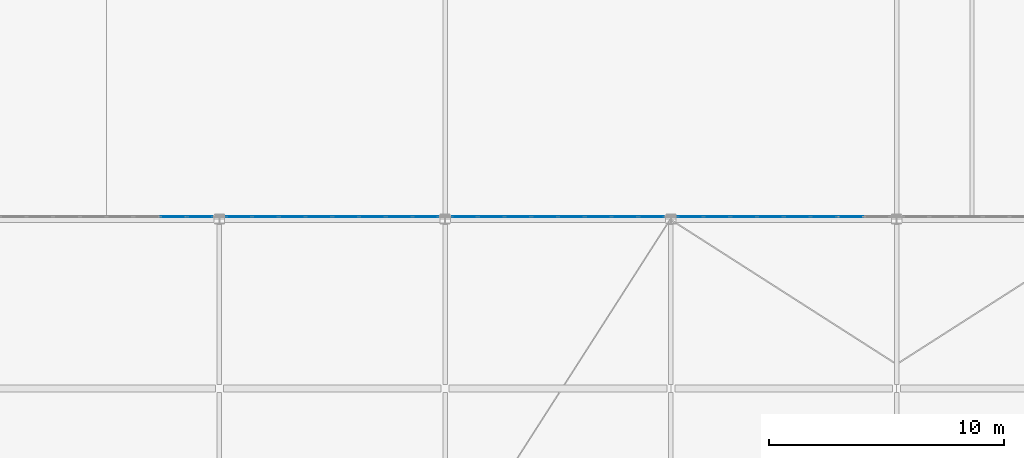
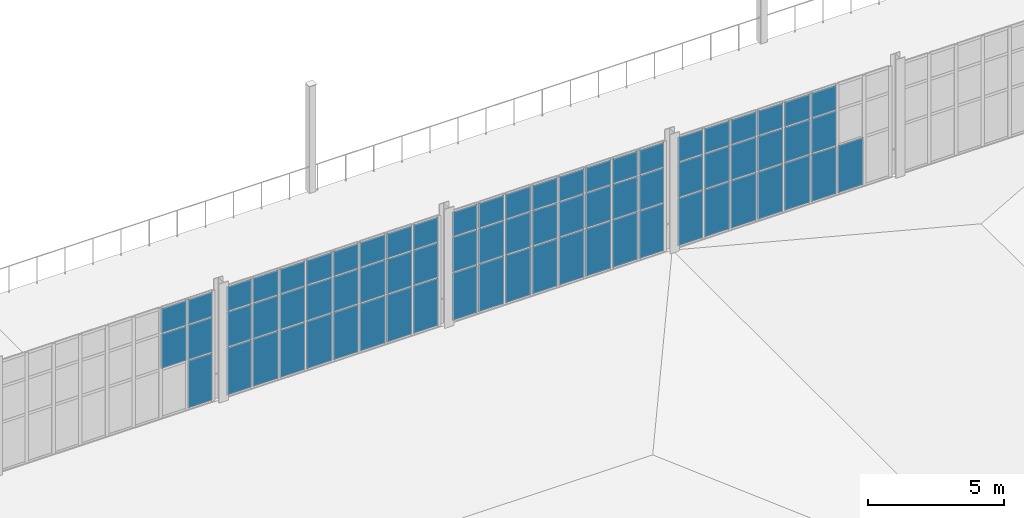
# One storey, part 77 of 112: 72 plates, 4 elements without a shape of their own.
"""IFC4 building model written with IfcOpenShell, lengths in metres."""

from ifc_helpers import new_model, si_unit, direction, frame, origin, origin_2d, place, context, subcontext, project, spatial, rectangle, extrude, material, layer, layer_set, type_object, element, aggregate, save


model = new_model("IFC4")

# Units and contexts
model_context = context("Model", 3, precision=1e-05, world=origin(), true_north=direction((0.0, 1.0)))
body_context = subcontext(model_context, "Body", "Model", "MODEL_VIEW")
ifc_project = project(units=[si_unit("LENGTHUNIT", "METRE"), si_unit("AREAUNIT", "SQUARE_METRE"), si_unit("VOLUMEUNIT", "CUBIC_METRE"), si_unit("PLANEANGLEUNIT", "RADIAN"), si_unit("MASSUNIT", "GRAM", prefix="KILO")], contexts=[model_context])

# Site, building, storey
site_placement = place(None, origin())
site = spatial("IfcSite", under=ifc_project, at=site_placement, CompositionType="ELEMENT")
building_placement = place(site_placement, origin())
building = spatial("IfcBuilding", under=site, at=building_placement, Name="Yeouljin Market Hall", CompositionType="ELEMENT")
storey_placement = place(building_placement, frame((0.0, 0.0, 6.0)))
storey = spatial("IfcBuildingStorey", under=building, at=storey_placement, Name="L01", CompositionType="ELEMENT", Elevation=6.0)

# Curtain wall, plates
ifc_material_1 = material(Name="Thermally Broken Aluminium", Category="aluminium")
ifc_layer_1 = layer(ifc_material_1, 0.159912109375)
ifc_layer_set_1 = layer_set([ifc_layer_1], Name="Thermally Broken Aluminium")
curtain_wall_type = type_object("IfcCurtainWallType", Name="CW_HallClerestory_System", PredefinedType="USERDEFINED", material=ifc_layer_set_1)
curtain_wall_1_placement = place(storey_placement, origin())
curtain_wall_1 = element("IfcCurtainWall", 1, at=curtain_wall_1_placement, inside=storey, type_object=curtain_wall_type, Name="Curtain wall CW-V1S-L01-06", ObjectType="CURTAIN WALL", PredefinedType="USERDEFINED")
ifc_material_2 = material(Name="Low-E Insulated Glass", Category="glass")
ifc_layer_2 = layer(ifc_material_2, 0.028076171875)
ifc_layer_set_2 = layer_set([ifc_layer_2], Name="Low-E Insulated Glass")
plate_type = type_object("IfcPlateType", Name="CWPanel_LowE_28", PredefinedType="CURTAIN_PANEL", material=ifc_layer_set_2)
plate_1_placement = place(storey_placement, frame((92.169189453125, 36.10009765625, 0.048095703125), z_axis=(0.0, 0.0, 1.0), x_axis=(-1.0, 0.0, 0.0)))
plate_1 = element("IfcPlate", 2, at=plate_1_placement, type_object=plate_type, Name="CW-02 panel 1.1", PredefinedType="CURTAIN_PANEL", context=body_context, shape_type="SweptSolid", body=[
    extrude(rectangle(XDim=1.0654296875, YDim=0.028076171875, at=origin_2d()), origin(), (0.0, 0.0, 1.0), 2.1279296875),
])
plate_2_placement = place(storey_placement, frame((92.169189453125, 36.10009765625, 2.22412109375), z_axis=(0.0, 0.0, 1.0), x_axis=(-1.0, 0.0, 0.0)))
plate_2 = element("IfcPlate", 3, at=plate_2_placement, type_object=plate_type, Name="CW-02 panel 1.2", PredefinedType="CURTAIN_PANEL", context=body_context, shape_type="SweptSolid", body=[
    extrude(rectangle(XDim=1.0654296875, YDim=0.028076171875, at=origin_2d()), origin(), (0.0, 0.0, 1.0), 1.552001953125),
])
plate_3_placement = place(storey_placement, frame((92.169189453125, 36.10009765625, 3.82421875), z_axis=(0.0, 0.0, 1.0), x_axis=(-1.0, 0.0, 0.0)))
plate_3 = element("IfcPlate", 4, at=plate_3_placement, type_object=plate_type, Name="CW-02 panel 1.3", PredefinedType="CURTAIN_PANEL", context=body_context, shape_type="SweptSolid", body=[
    extrude(rectangle(XDim=1.0654296875, YDim=0.028076171875, at=origin_2d()), origin(), (0.0, 0.0, 1.0), 1.097900390625),
])
plate_4_placement = place(storey_placement, frame((91.043701171875, 36.10009765625, 2.22412109375), z_axis=(0.0, 0.0, 1.0), x_axis=(-1.0, 0.0, 0.0)))
plate_4 = element("IfcPlate", 5, at=plate_4_placement, type_object=plate_type, Name="CW-02 panel 2.2", PredefinedType="CURTAIN_PANEL", context=body_context, shape_type="SweptSolid", body=[
    extrude(rectangle(XDim=1.089599609375, YDim=0.028076171875, at=origin_2d()), origin(), (0.0, 0.0, 1.0), 1.552001953125),
])
plate_5_placement = place(storey_placement, frame((91.043701171875, 36.10009765625, 3.82421875), z_axis=(0.0, 0.0, 1.0), x_axis=(-1.0, 0.0, 0.0)))
plate_5 = element("IfcPlate", 6, at=plate_5_placement, type_object=plate_type, Name="CW-02 panel 2.3", PredefinedType="CURTAIN_PANEL", context=body_context, shape_type="SweptSolid", body=[
    extrude(rectangle(XDim=1.089599609375, YDim=0.028076171875, at=origin_2d()), origin(), (0.0, 0.0, 1.0), 1.097900390625),
])
aggregate(curtain_wall_1, [plate_1, plate_2, plate_3, plate_4, plate_5])

curtain_wall_2_placement = place(storey_placement, origin())
curtain_wall_2 = element("IfcCurtainWall", 7, at=curtain_wall_2_placement, inside=storey, type_object=curtain_wall_type, Name="Curtain wall CW-V1S-L01-07", ObjectType="CURTAIN WALL", PredefinedType="USERDEFINED")
plate_6_placement = place(storey_placement, frame((101.769287109375, 36.10009765625, 0.048095703125), z_axis=(0.0, 0.0, 1.0), x_axis=(-1.0, 0.0, 0.0)))
plate_6 = element("IfcPlate", 8, at=plate_6_placement, type_object=plate_type, Name="CW-02 panel 1.1", PredefinedType="CURTAIN_PANEL", context=body_context, shape_type="SweptSolid", body=[
    extrude(rectangle(XDim=1.0654296875, YDim=0.028076171875, at=origin_2d()), origin(), (0.0, 0.0, 1.0), 2.1279296875),
])
plate_7_placement = place(storey_placement, frame((101.769287109375, 36.10009765625, 2.22412109375), z_axis=(0.0, 0.0, 1.0), x_axis=(-1.0, 0.0, 0.0)))
plate_7 = element("IfcPlate", 9, at=plate_7_placement, type_object=plate_type, Name="CW-02 panel 1.2", PredefinedType="CURTAIN_PANEL", context=body_context, shape_type="SweptSolid", body=[
    extrude(rectangle(XDim=1.0654296875, YDim=0.028076171875, at=origin_2d()), origin(), (0.0, 0.0, 1.0), 1.552001953125),
])
plate_8_placement = place(storey_placement, frame((101.769287109375, 36.10009765625, 3.82421875), z_axis=(0.0, 0.0, 1.0), x_axis=(-1.0, 0.0, 0.0)))
plate_8 = element("IfcPlate", 10, at=plate_8_placement, type_object=plate_type, Name="CW-02 panel 1.3", PredefinedType="CURTAIN_PANEL", context=body_context, shape_type="SweptSolid", body=[
    extrude(rectangle(XDim=1.0654296875, YDim=0.028076171875, at=origin_2d()), origin(), (0.0, 0.0, 1.0), 1.097900390625),
])
plate_9_placement = place(storey_placement, frame((100.643798828125, 36.10009765625, 0.048095703125), z_axis=(0.0, 0.0, 1.0), x_axis=(-1.0, 0.0, 0.0)))
plate_9 = element("IfcPlate", 11, at=plate_9_placement, type_object=plate_type, Name="CW-02 panel 2.1", PredefinedType="CURTAIN_PANEL", context=body_context, shape_type="SweptSolid", body=[
    extrude(rectangle(XDim=1.089599609375, YDim=0.028076171875, at=origin_2d()), origin(), (0.0, 0.0, 1.0), 2.1279296875),
])
plate_10_placement = place(storey_placement, frame((100.643798828125, 36.10009765625, 2.22412109375), z_axis=(0.0, 0.0, 1.0), x_axis=(-1.0, 0.0, 0.0)))
plate_10 = element("IfcPlate", 12, at=plate_10_placement, type_object=plate_type, Name="CW-02 panel 2.2", PredefinedType="CURTAIN_PANEL", context=body_context, shape_type="SweptSolid", body=[
    extrude(rectangle(XDim=1.089599609375, YDim=0.028076171875, at=origin_2d()), origin(), (0.0, 0.0, 1.0), 1.552001953125),
])
plate_11_placement = place(storey_placement, frame((100.643798828125, 36.10009765625, 3.82421875), z_axis=(0.0, 0.0, 1.0), x_axis=(-1.0, 0.0, 0.0)))
plate_11 = element("IfcPlate", 13, at=plate_11_placement, type_object=plate_type, Name="CW-02 panel 2.3", PredefinedType="CURTAIN_PANEL", context=body_context, shape_type="SweptSolid", body=[
    extrude(rectangle(XDim=1.089599609375, YDim=0.028076171875, at=origin_2d()), origin(), (0.0, 0.0, 1.0), 1.097900390625),
])
plate_12_placement = place(storey_placement, frame((99.50634765625, 36.10009765625, 0.048095703125), z_axis=(0.0, 0.0, 1.0), x_axis=(-1.0, 0.0, 0.0)))
plate_12 = element("IfcPlate", 14, at=plate_12_placement, type_object=plate_type, Name="CW-02 panel 3.1", PredefinedType="CURTAIN_PANEL", context=body_context, shape_type="SweptSolid", body=[
    extrude(rectangle(XDim=1.089599609375, YDim=0.028076171875, at=origin_2d()), origin(), (0.0, 0.0, 1.0), 2.1279296875),
])
plate_13_placement = place(storey_placement, frame((99.50634765625, 36.10009765625, 2.22412109375), z_axis=(0.0, 0.0, 1.0), x_axis=(-1.0, 0.0, 0.0)))
plate_13 = element("IfcPlate", 15, at=plate_13_placement, type_object=plate_type, Name="CW-02 panel 3.2", PredefinedType="CURTAIN_PANEL", context=body_context, shape_type="SweptSolid", body=[
    extrude(rectangle(XDim=1.089599609375, YDim=0.028076171875, at=origin_2d()), origin(), (0.0, 0.0, 1.0), 1.552001953125),
])
plate_14_placement = place(storey_placement, frame((99.50634765625, 36.10009765625, 3.82421875), z_axis=(0.0, 0.0, 1.0), x_axis=(-1.0, 0.0, 0.0)))
plate_14 = element("IfcPlate", 16, at=plate_14_placement, type_object=plate_type, Name="CW-02 panel 3.3", PredefinedType="CURTAIN_PANEL", context=body_context, shape_type="SweptSolid", body=[
    extrude(rectangle(XDim=1.089599609375, YDim=0.028076171875, at=origin_2d()), origin(), (0.0, 0.0, 1.0), 1.097900390625),
])
plate_15_placement = place(storey_placement, frame((98.36865234375, 36.10009765625, 0.048095703125), z_axis=(0.0, 0.0, 1.0), x_axis=(-1.0, 0.0, 0.0)))
plate_15 = element("IfcPlate", 17, at=plate_15_placement, type_object=plate_type, Name="CW-02 panel 4.1", PredefinedType="CURTAIN_PANEL", context=body_context, shape_type="SweptSolid", body=[
    extrude(rectangle(XDim=1.089599609375, YDim=0.028076171875, at=origin_2d()), origin(), (0.0, 0.0, 1.0), 2.1279296875),
])
plate_16_placement = place(storey_placement, frame((98.36865234375, 36.10009765625, 2.22412109375), z_axis=(0.0, 0.0, 1.0), x_axis=(-1.0, 0.0, 0.0)))
plate_16 = element("IfcPlate", 18, at=plate_16_placement, type_object=plate_type, Name="CW-02 panel 4.2", PredefinedType="CURTAIN_PANEL", context=body_context, shape_type="SweptSolid", body=[
    extrude(rectangle(XDim=1.089599609375, YDim=0.028076171875, at=origin_2d()), origin(), (0.0, 0.0, 1.0), 1.552001953125),
])
plate_17_placement = place(storey_placement, frame((98.36865234375, 36.10009765625, 3.82421875), z_axis=(0.0, 0.0, 1.0), x_axis=(-1.0, 0.0, 0.0)))
plate_17 = element("IfcPlate", 19, at=plate_17_placement, type_object=plate_type, Name="CW-02 panel 4.3", PredefinedType="CURTAIN_PANEL", context=body_context, shape_type="SweptSolid", body=[
    extrude(rectangle(XDim=1.089599609375, YDim=0.028076171875, at=origin_2d()), origin(), (0.0, 0.0, 1.0), 1.097900390625),
])
plate_18_placement = place(storey_placement, frame((97.231201171875, 36.10009765625, 0.048095703125), z_axis=(0.0, 0.0, 1.0), x_axis=(-1.0, 0.0, 0.0)))
plate_18 = element("IfcPlate", 20, at=plate_18_placement, type_object=plate_type, Name="CW-02 panel 5.1", PredefinedType="CURTAIN_PANEL", context=body_context, shape_type="SweptSolid", body=[
    extrude(rectangle(XDim=1.089599609375, YDim=0.028076171875, at=origin_2d()), origin(), (0.0, 0.0, 1.0), 2.1279296875),
])
plate_19_placement = place(storey_placement, frame((97.231201171875, 36.10009765625, 2.22412109375), z_axis=(0.0, 0.0, 1.0), x_axis=(-1.0, 0.0, 0.0)))
plate_19 = element("IfcPlate", 21, at=plate_19_placement, type_object=plate_type, Name="CW-02 panel 5.2", PredefinedType="CURTAIN_PANEL", context=body_context, shape_type="SweptSolid", body=[
    extrude(rectangle(XDim=1.089599609375, YDim=0.028076171875, at=origin_2d()), origin(), (0.0, 0.0, 1.0), 1.552001953125),
])
plate_20_placement = place(storey_placement, frame((97.231201171875, 36.10009765625, 3.82421875), z_axis=(0.0, 0.0, 1.0), x_axis=(-1.0, 0.0, 0.0)))
plate_20 = element("IfcPlate", 22, at=plate_20_placement, type_object=plate_type, Name="CW-02 panel 5.3", PredefinedType="CURTAIN_PANEL", context=body_context, shape_type="SweptSolid", body=[
    extrude(rectangle(XDim=1.089599609375, YDim=0.028076171875, at=origin_2d()), origin(), (0.0, 0.0, 1.0), 1.097900390625),
])
plate_21_placement = place(storey_placement, frame((96.09375, 36.10009765625, 0.048095703125), z_axis=(0.0, 0.0, 1.0), x_axis=(-1.0, 0.0, 0.0)))
plate_21 = element("IfcPlate", 23, at=plate_21_placement, type_object=plate_type, Name="CW-02 panel 6.1", PredefinedType="CURTAIN_PANEL", context=body_context, shape_type="SweptSolid", body=[
    extrude(rectangle(XDim=1.089599609375, YDim=0.028076171875, at=origin_2d()), origin(), (0.0, 0.0, 1.0), 2.1279296875),
])
plate_22_placement = place(storey_placement, frame((96.09375, 36.10009765625, 2.22412109375), z_axis=(0.0, 0.0, 1.0), x_axis=(-1.0, 0.0, 0.0)))
plate_22 = element("IfcPlate", 24, at=plate_22_placement, type_object=plate_type, Name="CW-02 panel 6.2", PredefinedType="CURTAIN_PANEL", context=body_context, shape_type="SweptSolid", body=[
    extrude(rectangle(XDim=1.089599609375, YDim=0.028076171875, at=origin_2d()), origin(), (0.0, 0.0, 1.0), 1.552001953125),
])
plate_23_placement = place(storey_placement, frame((96.09375, 36.10009765625, 3.82421875), z_axis=(0.0, 0.0, 1.0), x_axis=(-1.0, 0.0, 0.0)))
plate_23 = element("IfcPlate", 25, at=plate_23_placement, type_object=plate_type, Name="CW-02 panel 6.3", PredefinedType="CURTAIN_PANEL", context=body_context, shape_type="SweptSolid", body=[
    extrude(rectangle(XDim=1.089599609375, YDim=0.028076171875, at=origin_2d()), origin(), (0.0, 0.0, 1.0), 1.097900390625),
])
plate_24_placement = place(storey_placement, frame((94.956298828125, 36.10009765625, 0.048095703125), z_axis=(0.0, 0.0, 1.0), x_axis=(-1.0, 0.0, 0.0)))
plate_24 = element("IfcPlate", 26, at=plate_24_placement, type_object=plate_type, Name="CW-02 panel 7.1", PredefinedType="CURTAIN_PANEL", context=body_context, shape_type="SweptSolid", body=[
    extrude(rectangle(XDim=1.089599609375, YDim=0.028076171875, at=origin_2d()), origin(), (0.0, 0.0, 1.0), 2.1279296875),
])
plate_25_placement = place(storey_placement, frame((94.956298828125, 36.10009765625, 2.22412109375), z_axis=(0.0, 0.0, 1.0), x_axis=(-1.0, 0.0, 0.0)))
plate_25 = element("IfcPlate", 27, at=plate_25_placement, type_object=plate_type, Name="CW-02 panel 7.2", PredefinedType="CURTAIN_PANEL", context=body_context, shape_type="SweptSolid", body=[
    extrude(rectangle(XDim=1.089599609375, YDim=0.028076171875, at=origin_2d()), origin(), (0.0, 0.0, 1.0), 1.552001953125),
])
plate_26_placement = place(storey_placement, frame((94.956298828125, 36.10009765625, 3.82421875), z_axis=(0.0, 0.0, 1.0), x_axis=(-1.0, 0.0, 0.0)))
plate_26 = element("IfcPlate", 28, at=plate_26_placement, type_object=plate_type, Name="CW-02 panel 7.3", PredefinedType="CURTAIN_PANEL", context=body_context, shape_type="SweptSolid", body=[
    extrude(rectangle(XDim=1.089599609375, YDim=0.028076171875, at=origin_2d()), origin(), (0.0, 0.0, 1.0), 1.097900390625),
])
plate_27_placement = place(storey_placement, frame((93.830810546875, 36.10009765625, 0.048095703125), z_axis=(0.0, 0.0, 1.0), x_axis=(-1.0, 0.0, 0.0)))
plate_27 = element("IfcPlate", 29, at=plate_27_placement, type_object=plate_type, Name="CW-02 panel 8.1", PredefinedType="CURTAIN_PANEL", context=body_context, shape_type="SweptSolid", body=[
    extrude(rectangle(XDim=1.0654296875, YDim=0.028076171875, at=origin_2d()), origin(), (0.0, 0.0, 1.0), 2.1279296875),
])
plate_28_placement = place(storey_placement, frame((93.830810546875, 36.10009765625, 2.22412109375), z_axis=(0.0, 0.0, 1.0), x_axis=(-1.0, 0.0, 0.0)))
plate_28 = element("IfcPlate", 30, at=plate_28_placement, type_object=plate_type, Name="CW-02 panel 8.2", PredefinedType="CURTAIN_PANEL", context=body_context, shape_type="SweptSolid", body=[
    extrude(rectangle(XDim=1.0654296875, YDim=0.028076171875, at=origin_2d()), origin(), (0.0, 0.0, 1.0), 1.552001953125),
])
plate_29_placement = place(storey_placement, frame((93.830810546875, 36.10009765625, 3.82421875), z_axis=(0.0, 0.0, 1.0), x_axis=(-1.0, 0.0, 0.0)))
plate_29 = element("IfcPlate", 31, at=plate_29_placement, type_object=plate_type, Name="CW-02 panel 8.3", PredefinedType="CURTAIN_PANEL", context=body_context, shape_type="SweptSolid", body=[
    extrude(rectangle(XDim=1.0654296875, YDim=0.028076171875, at=origin_2d()), origin(), (0.0, 0.0, 1.0), 1.097900390625),
])
aggregate(curtain_wall_2, [plate_6, plate_7, plate_8, plate_9, plate_10, plate_11, plate_12, plate_13, plate_14, plate_15, plate_16, plate_17, plate_18, plate_19, plate_20, plate_21, plate_22, plate_23, plate_24, plate_25, plate_26, plate_27, plate_28, plate_29])

curtain_wall_3_placement = place(storey_placement, origin())
curtain_wall_3 = element("IfcCurtainWall", 32, at=curtain_wall_3_placement, inside=storey, type_object=curtain_wall_type, Name="Curtain wall CW-V1S-L01-08", ObjectType="CURTAIN WALL", PredefinedType="USERDEFINED")
plate_30_placement = place(storey_placement, frame((111.369140625, 36.10009765625, 0.048095703125), z_axis=(0.0, 0.0, 1.0), x_axis=(-1.0, 0.0, 0.0)))
plate_30 = element("IfcPlate", 33, at=plate_30_placement, type_object=plate_type, Name="CW-02 panel 1.1", PredefinedType="CURTAIN_PANEL", context=body_context, shape_type="SweptSolid", body=[
    extrude(rectangle(XDim=1.0654296875, YDim=0.028076171875, at=origin_2d()), origin(), (0.0, 0.0, 1.0), 2.1279296875),
])
plate_31_placement = place(storey_placement, frame((111.369140625, 36.10009765625, 2.22412109375), z_axis=(0.0, 0.0, 1.0), x_axis=(-1.0, 0.0, 0.0)))
plate_31 = element("IfcPlate", 34, at=plate_31_placement, type_object=plate_type, Name="CW-02 panel 1.2", PredefinedType="CURTAIN_PANEL", context=body_context, shape_type="SweptSolid", body=[
    extrude(rectangle(XDim=1.0654296875, YDim=0.028076171875, at=origin_2d()), origin(), (0.0, 0.0, 1.0), 1.552001953125),
])
plate_32_placement = place(storey_placement, frame((111.369140625, 36.10009765625, 3.82421875), z_axis=(0.0, 0.0, 1.0), x_axis=(-1.0, 0.0, 0.0)))
plate_32 = element("IfcPlate", 35, at=plate_32_placement, type_object=plate_type, Name="CW-02 panel 1.3", PredefinedType="CURTAIN_PANEL", context=body_context, shape_type="SweptSolid", body=[
    extrude(rectangle(XDim=1.0654296875, YDim=0.028076171875, at=origin_2d()), origin(), (0.0, 0.0, 1.0), 1.097900390625),
])
plate_33_placement = place(storey_placement, frame((110.24365234375, 36.10009765625, 0.048095703125), z_axis=(0.0, 0.0, 1.0), x_axis=(-1.0, 0.0, 0.0)))
plate_33 = element("IfcPlate", 36, at=plate_33_placement, type_object=plate_type, Name="CW-02 panel 2.1", PredefinedType="CURTAIN_PANEL", context=body_context, shape_type="SweptSolid", body=[
    extrude(rectangle(XDim=1.089599609375, YDim=0.028076171875, at=origin_2d()), origin(), (0.0, 0.0, 1.0), 2.1279296875),
])
plate_34_placement = place(storey_placement, frame((110.24365234375, 36.10009765625, 2.22412109375), z_axis=(0.0, 0.0, 1.0), x_axis=(-1.0, 0.0, 0.0)))
plate_34 = element("IfcPlate", 37, at=plate_34_placement, type_object=plate_type, Name="CW-02 panel 2.2", PredefinedType="CURTAIN_PANEL", context=body_context, shape_type="SweptSolid", body=[
    extrude(rectangle(XDim=1.089599609375, YDim=0.028076171875, at=origin_2d()), origin(), (0.0, 0.0, 1.0), 1.552001953125),
])
plate_35_placement = place(storey_placement, frame((110.24365234375, 36.10009765625, 3.82421875), z_axis=(0.0, 0.0, 1.0), x_axis=(-1.0, 0.0, 0.0)))
plate_35 = element("IfcPlate", 38, at=plate_35_placement, type_object=plate_type, Name="CW-02 panel 2.3", PredefinedType="CURTAIN_PANEL", context=body_context, shape_type="SweptSolid", body=[
    extrude(rectangle(XDim=1.089599609375, YDim=0.028076171875, at=origin_2d()), origin(), (0.0, 0.0, 1.0), 1.097900390625),
])
plate_36_placement = place(storey_placement, frame((109.106201171875, 36.10009765625, 0.048095703125), z_axis=(0.0, 0.0, 1.0), x_axis=(-1.0, 0.0, 0.0)))
plate_36 = element("IfcPlate", 39, at=plate_36_placement, type_object=plate_type, Name="CW-02 panel 3.1", PredefinedType="CURTAIN_PANEL", context=body_context, shape_type="SweptSolid", body=[
    extrude(rectangle(XDim=1.089599609375, YDim=0.028076171875, at=origin_2d()), origin(), (0.0, 0.0, 1.0), 2.1279296875),
])
plate_37_placement = place(storey_placement, frame((109.106201171875, 36.10009765625, 2.22412109375), z_axis=(0.0, 0.0, 1.0), x_axis=(-1.0, 0.0, 0.0)))
plate_37 = element("IfcPlate", 40, at=plate_37_placement, type_object=plate_type, Name="CW-02 panel 3.2", PredefinedType="CURTAIN_PANEL", context=body_context, shape_type="SweptSolid", body=[
    extrude(rectangle(XDim=1.089599609375, YDim=0.028076171875, at=origin_2d()), origin(), (0.0, 0.0, 1.0), 1.552001953125),
])
plate_38_placement = place(storey_placement, frame((109.106201171875, 36.10009765625, 3.82421875), z_axis=(0.0, 0.0, 1.0), x_axis=(-1.0, 0.0, 0.0)))
plate_38 = element("IfcPlate", 41, at=plate_38_placement, type_object=plate_type, Name="CW-02 panel 3.3", PredefinedType="CURTAIN_PANEL", context=body_context, shape_type="SweptSolid", body=[
    extrude(rectangle(XDim=1.089599609375, YDim=0.028076171875, at=origin_2d()), origin(), (0.0, 0.0, 1.0), 1.097900390625),
])
plate_39_placement = place(storey_placement, frame((107.96875, 36.10009765625, 0.048095703125), z_axis=(0.0, 0.0, 1.0), x_axis=(-1.0, 0.0, 0.0)))
plate_39 = element("IfcPlate", 42, at=plate_39_placement, type_object=plate_type, Name="CW-02 panel 4.1", PredefinedType="CURTAIN_PANEL", context=body_context, shape_type="SweptSolid", body=[
    extrude(rectangle(XDim=1.089599609375, YDim=0.028076171875, at=origin_2d()), origin(), (0.0, 0.0, 1.0), 2.1279296875),
])
plate_40_placement = place(storey_placement, frame((107.96875, 36.10009765625, 2.22412109375), z_axis=(0.0, 0.0, 1.0), x_axis=(-1.0, 0.0, 0.0)))
plate_40 = element("IfcPlate", 43, at=plate_40_placement, type_object=plate_type, Name="CW-02 panel 4.2", PredefinedType="CURTAIN_PANEL", context=body_context, shape_type="SweptSolid", body=[
    extrude(rectangle(XDim=1.089599609375, YDim=0.028076171875, at=origin_2d()), origin(), (0.0, 0.0, 1.0), 1.552001953125),
])
plate_41_placement = place(storey_placement, frame((107.96875, 36.10009765625, 3.82421875), z_axis=(0.0, 0.0, 1.0), x_axis=(-1.0, 0.0, 0.0)))
plate_41 = element("IfcPlate", 44, at=plate_41_placement, type_object=plate_type, Name="CW-02 panel 4.3", PredefinedType="CURTAIN_PANEL", context=body_context, shape_type="SweptSolid", body=[
    extrude(rectangle(XDim=1.089599609375, YDim=0.028076171875, at=origin_2d()), origin(), (0.0, 0.0, 1.0), 1.097900390625),
])
plate_42_placement = place(storey_placement, frame((106.831298828125, 36.10009765625, 0.048095703125), z_axis=(0.0, 0.0, 1.0), x_axis=(-1.0, 0.0, 0.0)))
plate_42 = element("IfcPlate", 45, at=plate_42_placement, type_object=plate_type, Name="CW-02 panel 5.1", PredefinedType="CURTAIN_PANEL", context=body_context, shape_type="SweptSolid", body=[
    extrude(rectangle(XDim=1.089599609375, YDim=0.028076171875, at=origin_2d()), origin(), (0.0, 0.0, 1.0), 2.1279296875),
])
plate_43_placement = place(storey_placement, frame((106.831298828125, 36.10009765625, 2.22412109375), z_axis=(0.0, 0.0, 1.0), x_axis=(-1.0, 0.0, 0.0)))
plate_43 = element("IfcPlate", 46, at=plate_43_placement, type_object=plate_type, Name="CW-02 panel 5.2", PredefinedType="CURTAIN_PANEL", context=body_context, shape_type="SweptSolid", body=[
    extrude(rectangle(XDim=1.089599609375, YDim=0.028076171875, at=origin_2d()), origin(), (0.0, 0.0, 1.0), 1.552001953125),
])
plate_44_placement = place(storey_placement, frame((106.831298828125, 36.10009765625, 3.82421875), z_axis=(0.0, 0.0, 1.0), x_axis=(-1.0, 0.0, 0.0)))
plate_44 = element("IfcPlate", 47, at=plate_44_placement, type_object=plate_type, Name="CW-02 panel 5.3", PredefinedType="CURTAIN_PANEL", context=body_context, shape_type="SweptSolid", body=[
    extrude(rectangle(XDim=1.089599609375, YDim=0.028076171875, at=origin_2d()), origin(), (0.0, 0.0, 1.0), 1.097900390625),
])
plate_45_placement = place(storey_placement, frame((105.69384765625, 36.10009765625, 0.048095703125), z_axis=(0.0, 0.0, 1.0), x_axis=(-1.0, 0.0, 0.0)))
plate_45 = element("IfcPlate", 48, at=plate_45_placement, type_object=plate_type, Name="CW-02 panel 6.1", PredefinedType="CURTAIN_PANEL", context=body_context, shape_type="SweptSolid", body=[
    extrude(rectangle(XDim=1.089599609375, YDim=0.028076171875, at=origin_2d()), origin(), (0.0, 0.0, 1.0), 2.1279296875),
])
plate_46_placement = place(storey_placement, frame((105.69384765625, 36.10009765625, 2.22412109375), z_axis=(0.0, 0.0, 1.0), x_axis=(-1.0, 0.0, 0.0)))
plate_46 = element("IfcPlate", 49, at=plate_46_placement, type_object=plate_type, Name="CW-02 panel 6.2", PredefinedType="CURTAIN_PANEL", context=body_context, shape_type="SweptSolid", body=[
    extrude(rectangle(XDim=1.089599609375, YDim=0.028076171875, at=origin_2d()), origin(), (0.0, 0.0, 1.0), 1.552001953125),
])
plate_47_placement = place(storey_placement, frame((105.69384765625, 36.10009765625, 3.82421875), z_axis=(0.0, 0.0, 1.0), x_axis=(-1.0, 0.0, 0.0)))
plate_47 = element("IfcPlate", 50, at=plate_47_placement, type_object=plate_type, Name="CW-02 panel 6.3", PredefinedType="CURTAIN_PANEL", context=body_context, shape_type="SweptSolid", body=[
    extrude(rectangle(XDim=1.089599609375, YDim=0.028076171875, at=origin_2d()), origin(), (0.0, 0.0, 1.0), 1.097900390625),
])
plate_48_placement = place(storey_placement, frame((104.55615234375, 36.10009765625, 0.048095703125), z_axis=(0.0, 0.0, 1.0), x_axis=(-1.0, 0.0, 0.0)))
plate_48 = element("IfcPlate", 51, at=plate_48_placement, type_object=plate_type, Name="CW-02 panel 7.1", PredefinedType="CURTAIN_PANEL", context=body_context, shape_type="SweptSolid", body=[
    extrude(rectangle(XDim=1.089599609375, YDim=0.028076171875, at=origin_2d()), origin(), (0.0, 0.0, 1.0), 2.1279296875),
])
plate_49_placement = place(storey_placement, frame((104.55615234375, 36.10009765625, 2.22412109375), z_axis=(0.0, 0.0, 1.0), x_axis=(-1.0, 0.0, 0.0)))
plate_49 = element("IfcPlate", 52, at=plate_49_placement, type_object=plate_type, Name="CW-02 panel 7.2", PredefinedType="CURTAIN_PANEL", context=body_context, shape_type="SweptSolid", body=[
    extrude(rectangle(XDim=1.089599609375, YDim=0.028076171875, at=origin_2d()), origin(), (0.0, 0.0, 1.0), 1.552001953125),
])
plate_50_placement = place(storey_placement, frame((104.55615234375, 36.10009765625, 3.82421875), z_axis=(0.0, 0.0, 1.0), x_axis=(-1.0, 0.0, 0.0)))
plate_50 = element("IfcPlate", 53, at=plate_50_placement, type_object=plate_type, Name="CW-02 panel 7.3", PredefinedType="CURTAIN_PANEL", context=body_context, shape_type="SweptSolid", body=[
    extrude(rectangle(XDim=1.089599609375, YDim=0.028076171875, at=origin_2d()), origin(), (0.0, 0.0, 1.0), 1.097900390625),
])
plate_51_placement = place(storey_placement, frame((103.4306640625, 36.10009765625, 0.048095703125), z_axis=(0.0, 0.0, 1.0), x_axis=(-1.0, 0.0, 0.0)))
plate_51 = element("IfcPlate", 54, at=plate_51_placement, type_object=plate_type, Name="CW-02 panel 8.1", PredefinedType="CURTAIN_PANEL", context=body_context, shape_type="SweptSolid", body=[
    extrude(rectangle(XDim=1.0654296875, YDim=0.028076171875, at=origin_2d()), origin(), (0.0, 0.0, 1.0), 2.1279296875),
])
plate_52_placement = place(storey_placement, frame((103.4306640625, 36.10009765625, 2.22412109375), z_axis=(0.0, 0.0, 1.0), x_axis=(-1.0, 0.0, 0.0)))
plate_52 = element("IfcPlate", 55, at=plate_52_placement, type_object=plate_type, Name="CW-02 panel 8.2", PredefinedType="CURTAIN_PANEL", context=body_context, shape_type="SweptSolid", body=[
    extrude(rectangle(XDim=1.0654296875, YDim=0.028076171875, at=origin_2d()), origin(), (0.0, 0.0, 1.0), 1.552001953125),
])
plate_53_placement = place(storey_placement, frame((103.4306640625, 36.10009765625, 3.82421875), z_axis=(0.0, 0.0, 1.0), x_axis=(-1.0, 0.0, 0.0)))
plate_53 = element("IfcPlate", 56, at=plate_53_placement, type_object=plate_type, Name="CW-02 panel 8.3", PredefinedType="CURTAIN_PANEL", context=body_context, shape_type="SweptSolid", body=[
    extrude(rectangle(XDim=1.0654296875, YDim=0.028076171875, at=origin_2d()), origin(), (0.0, 0.0, 1.0), 1.097900390625),
])
aggregate(curtain_wall_3, [plate_30, plate_31, plate_32, plate_33, plate_34, plate_35, plate_36, plate_37, plate_38, plate_39, plate_40, plate_41, plate_42, plate_43, plate_44, plate_45, plate_46, plate_47, plate_48, plate_49, plate_50, plate_51, plate_52, plate_53])

curtain_wall_4_placement = place(storey_placement, origin())
curtain_wall_4 = element("IfcCurtainWall", 57, at=curtain_wall_4_placement, inside=storey, type_object=curtain_wall_type, Name="Curtain wall CW-V1S-L01-09", ObjectType="CURTAIN WALL", PredefinedType="USERDEFINED")
plate_54_placement = place(storey_placement, frame((119.84375, 36.10009765625, 0.048095703125), z_axis=(0.0, 0.0, 1.0), x_axis=(-1.0, 0.0, 0.0)))
plate_54 = element("IfcPlate", 58, at=plate_54_placement, type_object=plate_type, Name="CW-02 panel 2.1", PredefinedType="CURTAIN_PANEL", context=body_context, shape_type="SweptSolid", body=[
    extrude(rectangle(XDim=1.089599609375, YDim=0.028076171875, at=origin_2d()), origin(), (0.0, 0.0, 1.0), 2.1279296875),
])
plate_55_placement = place(storey_placement, frame((118.706298828125, 36.10009765625, 0.048095703125), z_axis=(0.0, 0.0, 1.0), x_axis=(-1.0, 0.0, 0.0)))
plate_55 = element("IfcPlate", 59, at=plate_55_placement, type_object=plate_type, Name="CW-02 panel 3.1", PredefinedType="CURTAIN_PANEL", context=body_context, shape_type="SweptSolid", body=[
    extrude(rectangle(XDim=1.089599609375, YDim=0.028076171875, at=origin_2d()), origin(), (0.0, 0.0, 1.0), 2.1279296875),
])
plate_56_placement = place(storey_placement, frame((118.706298828125, 36.10009765625, 2.22412109375), z_axis=(0.0, 0.0, 1.0), x_axis=(-1.0, 0.0, 0.0)))
plate_56 = element("IfcPlate", 60, at=plate_56_placement, type_object=plate_type, Name="CW-02 panel 3.2", PredefinedType="CURTAIN_PANEL", context=body_context, shape_type="SweptSolid", body=[
    extrude(rectangle(XDim=1.089599609375, YDim=0.028076171875, at=origin_2d()), origin(), (0.0, 0.0, 1.0), 1.552001953125),
])
plate_57_placement = place(storey_placement, frame((118.706298828125, 36.10009765625, 3.82421875), z_axis=(0.0, 0.0, 1.0), x_axis=(-1.0, 0.0, 0.0)))
plate_57 = element("IfcPlate", 61, at=plate_57_placement, type_object=plate_type, Name="CW-02 panel 3.3", PredefinedType="CURTAIN_PANEL", context=body_context, shape_type="SweptSolid", body=[
    extrude(rectangle(XDim=1.089599609375, YDim=0.028076171875, at=origin_2d()), origin(), (0.0, 0.0, 1.0), 1.097900390625),
])
plate_58_placement = place(storey_placement, frame((117.56884765625, 36.10009765625, 0.048095703125), z_axis=(0.0, 0.0, 1.0), x_axis=(-1.0, 0.0, 0.0)))
plate_58 = element("IfcPlate", 62, at=plate_58_placement, type_object=plate_type, Name="CW-02 panel 4.1", PredefinedType="CURTAIN_PANEL", context=body_context, shape_type="SweptSolid", body=[
    extrude(rectangle(XDim=1.089599609375, YDim=0.028076171875, at=origin_2d()), origin(), (0.0, 0.0, 1.0), 2.1279296875),
])
plate_59_placement = place(storey_placement, frame((117.56884765625, 36.10009765625, 2.22412109375), z_axis=(0.0, 0.0, 1.0), x_axis=(-1.0, 0.0, 0.0)))
plate_59 = element("IfcPlate", 63, at=plate_59_placement, type_object=plate_type, Name="CW-02 panel 4.2", PredefinedType="CURTAIN_PANEL", context=body_context, shape_type="SweptSolid", body=[
    extrude(rectangle(XDim=1.089599609375, YDim=0.028076171875, at=origin_2d()), origin(), (0.0, 0.0, 1.0), 1.552001953125),
])
plate_60_placement = place(storey_placement, frame((117.56884765625, 36.10009765625, 3.82421875), z_axis=(0.0, 0.0, 1.0), x_axis=(-1.0, 0.0, 0.0)))
plate_60 = element("IfcPlate", 64, at=plate_60_placement, type_object=plate_type, Name="CW-02 panel 4.3", PredefinedType="CURTAIN_PANEL", context=body_context, shape_type="SweptSolid", body=[
    extrude(rectangle(XDim=1.089599609375, YDim=0.028076171875, at=origin_2d()), origin(), (0.0, 0.0, 1.0), 1.097900390625),
])
plate_61_placement = place(storey_placement, frame((116.43115234375, 36.10009765625, 0.048095703125), z_axis=(0.0, 0.0, 1.0), x_axis=(-1.0, 0.0, 0.0)))
plate_61 = element("IfcPlate", 65, at=plate_61_placement, type_object=plate_type, Name="CW-02 panel 5.1", PredefinedType="CURTAIN_PANEL", context=body_context, shape_type="SweptSolid", body=[
    extrude(rectangle(XDim=1.089599609375, YDim=0.028076171875, at=origin_2d()), origin(), (0.0, 0.0, 1.0), 2.1279296875),
])
plate_62_placement = place(storey_placement, frame((116.43115234375, 36.10009765625, 2.22412109375), z_axis=(0.0, 0.0, 1.0), x_axis=(-1.0, 0.0, 0.0)))
plate_62 = element("IfcPlate", 66, at=plate_62_placement, type_object=plate_type, Name="CW-02 panel 5.2", PredefinedType="CURTAIN_PANEL", context=body_context, shape_type="SweptSolid", body=[
    extrude(rectangle(XDim=1.089599609375, YDim=0.028076171875, at=origin_2d()), origin(), (0.0, 0.0, 1.0), 1.552001953125),
])
plate_63_placement = place(storey_placement, frame((116.43115234375, 36.10009765625, 3.82421875), z_axis=(0.0, 0.0, 1.0), x_axis=(-1.0, 0.0, 0.0)))
plate_63 = element("IfcPlate", 67, at=plate_63_placement, type_object=plate_type, Name="CW-02 panel 5.3", PredefinedType="CURTAIN_PANEL", context=body_context, shape_type="SweptSolid", body=[
    extrude(rectangle(XDim=1.089599609375, YDim=0.028076171875, at=origin_2d()), origin(), (0.0, 0.0, 1.0), 1.097900390625),
])
plate_64_placement = place(storey_placement, frame((115.293701171875, 36.10009765625, 0.048095703125), z_axis=(0.0, 0.0, 1.0), x_axis=(-1.0, 0.0, 0.0)))
plate_64 = element("IfcPlate", 68, at=plate_64_placement, type_object=plate_type, Name="CW-02 panel 6.1", PredefinedType="CURTAIN_PANEL", context=body_context, shape_type="SweptSolid", body=[
    extrude(rectangle(XDim=1.089599609375, YDim=0.028076171875, at=origin_2d()), origin(), (0.0, 0.0, 1.0), 2.1279296875),
])
plate_65_placement = place(storey_placement, frame((115.293701171875, 36.10009765625, 2.22412109375), z_axis=(0.0, 0.0, 1.0), x_axis=(-1.0, 0.0, 0.0)))
plate_65 = element("IfcPlate", 69, at=plate_65_placement, type_object=plate_type, Name="CW-02 panel 6.2", PredefinedType="CURTAIN_PANEL", context=body_context, shape_type="SweptSolid", body=[
    extrude(rectangle(XDim=1.089599609375, YDim=0.028076171875, at=origin_2d()), origin(), (0.0, 0.0, 1.0), 1.552001953125),
])
plate_66_placement = place(storey_placement, frame((115.293701171875, 36.10009765625, 3.82421875), z_axis=(0.0, 0.0, 1.0), x_axis=(-1.0, 0.0, 0.0)))
plate_66 = element("IfcPlate", 70, at=plate_66_placement, type_object=plate_type, Name="CW-02 panel 6.3", PredefinedType="CURTAIN_PANEL", context=body_context, shape_type="SweptSolid", body=[
    extrude(rectangle(XDim=1.089599609375, YDim=0.028076171875, at=origin_2d()), origin(), (0.0, 0.0, 1.0), 1.097900390625),
])
plate_67_placement = place(storey_placement, frame((114.15625, 36.10009765625, 0.048095703125), z_axis=(0.0, 0.0, 1.0), x_axis=(-1.0, 0.0, 0.0)))
plate_67 = element("IfcPlate", 71, at=plate_67_placement, type_object=plate_type, Name="CW-02 panel 7.1", PredefinedType="CURTAIN_PANEL", context=body_context, shape_type="SweptSolid", body=[
    extrude(rectangle(XDim=1.089599609375, YDim=0.028076171875, at=origin_2d()), origin(), (0.0, 0.0, 1.0), 2.1279296875),
])
plate_68_placement = place(storey_placement, frame((114.15625, 36.10009765625, 2.22412109375), z_axis=(0.0, 0.0, 1.0), x_axis=(-1.0, 0.0, 0.0)))
plate_68 = element("IfcPlate", 72, at=plate_68_placement, type_object=plate_type, Name="CW-02 panel 7.2", PredefinedType="CURTAIN_PANEL", context=body_context, shape_type="SweptSolid", body=[
    extrude(rectangle(XDim=1.089599609375, YDim=0.028076171875, at=origin_2d()), origin(), (0.0, 0.0, 1.0), 1.552001953125),
])
plate_69_placement = place(storey_placement, frame((114.15625, 36.10009765625, 3.82421875), z_axis=(0.0, 0.0, 1.0), x_axis=(-1.0, 0.0, 0.0)))
plate_69 = element("IfcPlate", 73, at=plate_69_placement, type_object=plate_type, Name="CW-02 panel 7.3", PredefinedType="CURTAIN_PANEL", context=body_context, shape_type="SweptSolid", body=[
    extrude(rectangle(XDim=1.089599609375, YDim=0.028076171875, at=origin_2d()), origin(), (0.0, 0.0, 1.0), 1.097900390625),
])
plate_70_placement = place(storey_placement, frame((113.03076171875, 36.10009765625, 0.048095703125), z_axis=(0.0, 0.0, 1.0), x_axis=(-1.0, 0.0, 0.0)))
plate_70 = element("IfcPlate", 74, at=plate_70_placement, type_object=plate_type, Name="CW-02 panel 8.1", PredefinedType="CURTAIN_PANEL", context=body_context, shape_type="SweptSolid", body=[
    extrude(rectangle(XDim=1.0654296875, YDim=0.028076171875, at=origin_2d()), origin(), (0.0, 0.0, 1.0), 2.1279296875),
])
plate_71_placement = place(storey_placement, frame((113.03076171875, 36.10009765625, 2.22412109375), z_axis=(0.0, 0.0, 1.0), x_axis=(-1.0, 0.0, 0.0)))
plate_71 = element("IfcPlate", 75, at=plate_71_placement, type_object=plate_type, Name="CW-02 panel 8.2", PredefinedType="CURTAIN_PANEL", context=body_context, shape_type="SweptSolid", body=[
    extrude(rectangle(XDim=1.0654296875, YDim=0.028076171875, at=origin_2d()), origin(), (0.0, 0.0, 1.0), 1.552001953125),
])
plate_72_placement = place(storey_placement, frame((113.03076171875, 36.10009765625, 3.82421875), z_axis=(0.0, 0.0, 1.0), x_axis=(-1.0, 0.0, 0.0)))
plate_72 = element("IfcPlate", 76, at=plate_72_placement, type_object=plate_type, Name="CW-02 panel 8.3", PredefinedType="CURTAIN_PANEL", context=body_context, shape_type="SweptSolid", body=[
    extrude(rectangle(XDim=1.0654296875, YDim=0.028076171875, at=origin_2d()), origin(), (0.0, 0.0, 1.0), 1.097900390625),
])
aggregate(curtain_wall_4, [plate_54, plate_55, plate_56, plate_57, plate_58, plate_59, plate_60, plate_61, plate_62, plate_63, plate_64, plate_65, plate_66, plate_67, plate_68, plate_69, plate_70, plate_71, plate_72])

save(model, "model.ifc")
